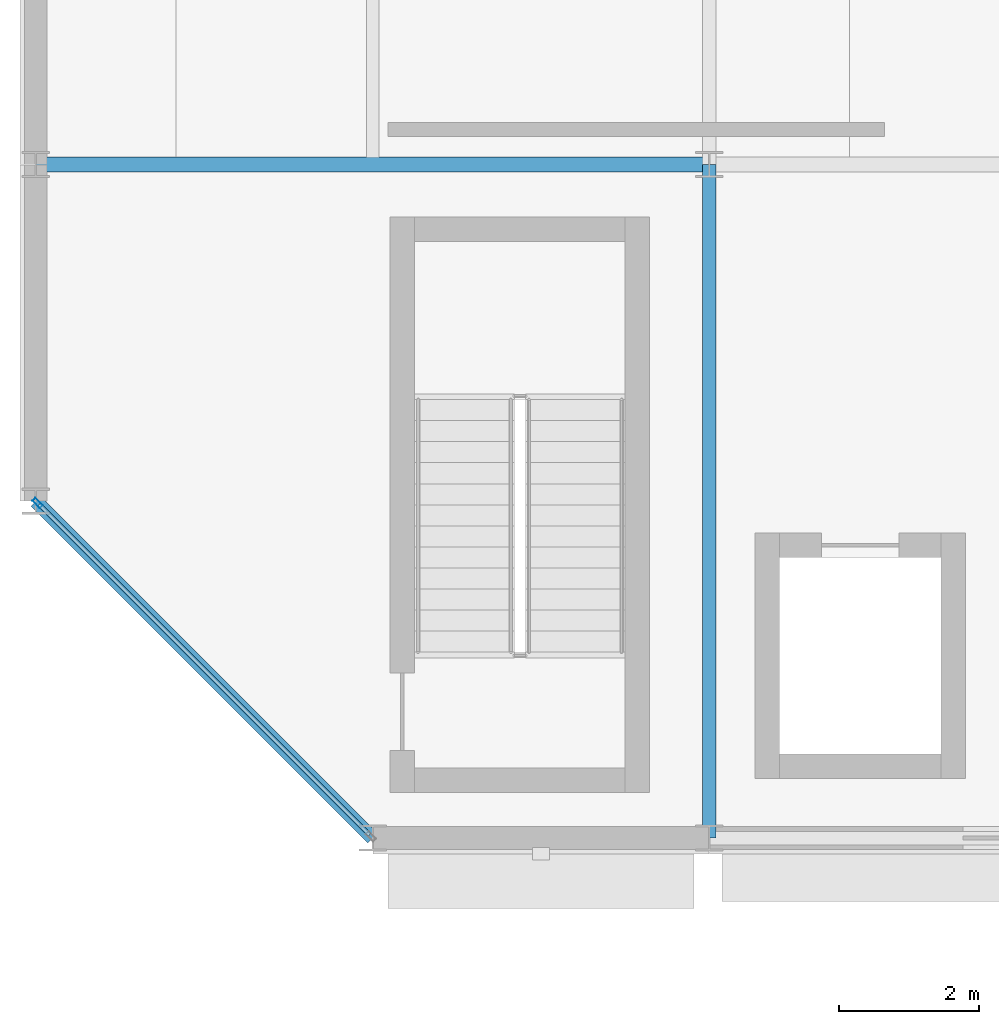
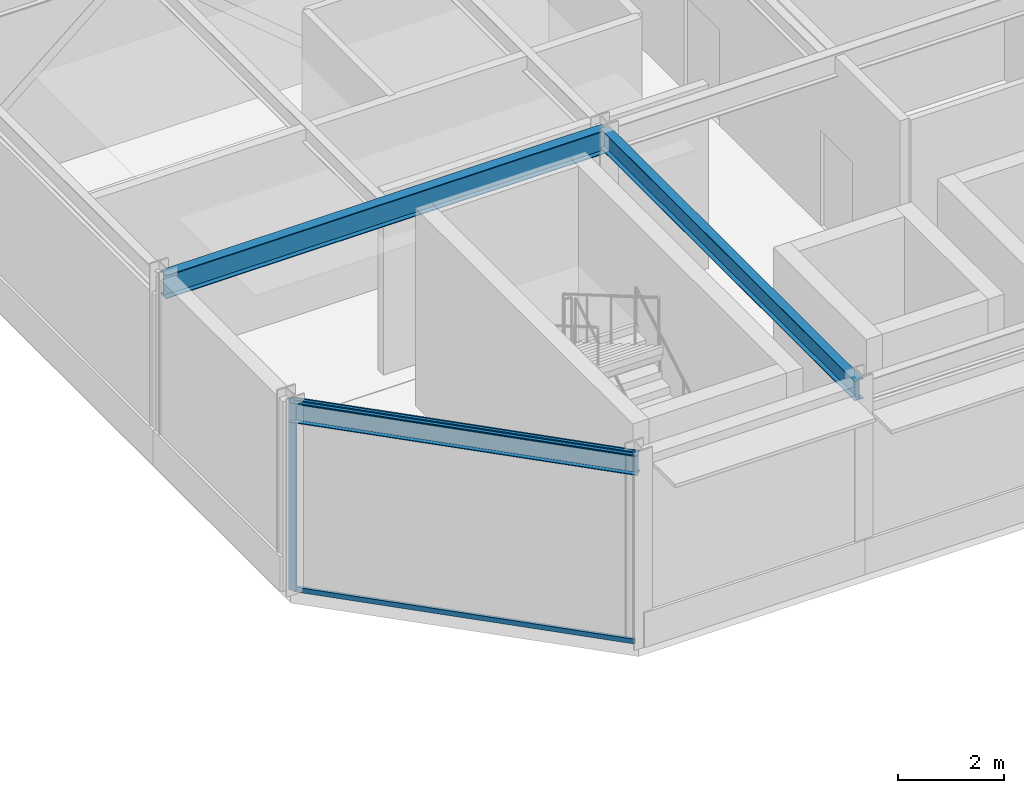
# One storey, part 54 of 157: 3 beams, 3 members, 1 element without a shape of its own.
"""IFC4 building model written with IfcOpenShell, lengths in metres."""

from ifc_helpers import new_model, si_unit, direction, frame, origin, origin_2d, place, context, subcontext, project, spatial, hollow_rectangle, i_section, extrude, material, material_profile, profile_set, type_object, element, aggregate, save


model = new_model("IFC4")

# Units and contexts
model_context = context("Model", 3, precision=1e-05, world=origin(), true_north=direction((0.0, 1.0)))
body_context = subcontext(model_context, "Body", "Model", "MODEL_VIEW")
ifc_project = project(units=[si_unit("LENGTHUNIT", "METRE"), si_unit("AREAUNIT", "SQUARE_METRE"), si_unit("VOLUMEUNIT", "CUBIC_METRE"), si_unit("PLANEANGLEUNIT", "RADIAN"), si_unit("MASSUNIT", "GRAM", prefix="KILO")], contexts=[model_context])

# Site, building, storey
site_placement = place(None, origin())
site = spatial("IfcSite", under=ifc_project, at=site_placement, CompositionType="ELEMENT")
building_placement = place(site_placement, origin())
building = spatial("IfcBuilding", under=site, at=building_placement, Name="Almandine Court Research Institute", CompositionType="ELEMENT")
storey_placement = place(building_placement, frame((0.0, 0.0, 5.25)))
storey = spatial("IfcBuildingStorey", under=building, at=storey_placement, Name="L01", CompositionType="ELEMENT", Elevation=5.25)

# Beams
ifc_material_1 = material(Name="Steel ASTM A992 Grade 50", Category="steel")
ifc_material_profile_1 = material_profile(ifc_material_1, i_section(OverallWidth=0.18994140625, OverallDepth=0.45703125, WebThickness=0.009033203125, FlangeThickness=0.014892578125, at=origin_2d()), Name="W460x74")
ifc_profile_set_1 = profile_set([ifc_material_profile_1], Name="Steel ASTM A992 Grade 50")
beam_type_1 = type_object("IfcBeamType", Name="Beam-B-01", PredefinedType="BEAM", material=ifc_profile_set_1)
beam_1_placement = place(storey_placement, frame((15.60009765625, 84.0, 4.14111328125), z_axis=(0.0, 1.0, 0.0), x_axis=(-1.0, 0.0, 0.0)))
element("IfcBeam", 1, at=beam_1_placement, inside=storey, type_object=beam_type_1, Name="L01 V3 Primary Y Girder", PredefinedType="BEAM", context=body_context, shape_type="SweptSolid", body=[
    extrude(i_section(OverallWidth=0.18994140625, OverallDepth=0.45703125, WebThickness=0.009033203125, FlangeThickness=0.014892578125, at=origin_2d()), origin(), (0.0, 0.0, 1.0), 9.60009765625),
])
ifc_material_profile_2 = material_profile(ifc_material_1, i_section(OverallWidth=0.2109375, OverallDepth=0.5390625, WebThickness=0.011962890625, FlangeThickness=0.01904296875, at=origin_2d()), Name="W530x109")
ifc_profile_set_2 = profile_set([ifc_material_profile_2], Name="Steel ASTM A992 Grade 50")
beam_type_2 = type_object("IfcBeamType", Name="Beam-G-04", PredefinedType="BEAM", material=ifc_profile_set_2)
beam_2_placement = place(storey_placement, frame((6.0, 93.60009765625, 4.10009765625), z_axis=(1.0, 0.0, 0.0), x_axis=(0.0, 1.0, 0.0)))
element("IfcBeam", 2, at=beam_2_placement, inside=storey, type_object=beam_type_2, Name="L01 V3 Primary X Girder", PredefinedType="BEAM", context=body_context, shape_type="SweptSolid", body=[
    extrude(i_section(OverallWidth=0.2109375, OverallDepth=0.5390625, WebThickness=0.011962890625, FlangeThickness=0.01904296875, at=origin_2d()), origin(), (0.0, 0.0, 1.0), 9.60009765625),
])
ifc_material_profile_3 = material_profile(ifc_material_1, i_section(OverallWidth=0.193115234375, OverallDepth=0.466064453125, WebThickness=0.010986328125, FlangeThickness=0.01904296875, at=origin_2d()), Name="W460x97")
ifc_profile_set_3 = profile_set([ifc_material_profile_3], Name="Steel ASTM A992 Grade 50")
beam_type_3 = type_object("IfcBeamType", Name="Beam-G-06-E", PredefinedType="SPANDREL", material=ifc_profile_set_3)
beam_3_placement = place(storey_placement, frame((6.0, 88.800048828125, 4.136962890625), z_axis=(0.707106781187, -0.707106781187, 0.0), x_axis=(0.707106781187, 0.707106781187, 0.0)))
element("IfcBeam", 3, at=beam_3_placement, inside=storey, type_object=beam_type_3, Name="L01 V3 Octagonal Chamfer Spandrel", PredefinedType="SPANDREL", context=body_context, shape_type="SweptSolid", body=[
    extrude(i_section(OverallWidth=0.193115234375, OverallDepth=0.466064453125, WebThickness=0.010986328125, FlangeThickness=0.01904296875, at=origin_2d()), origin(), (0.0, 0.0, 1.0), 6.788330078125),
])

# Curtain wall, members
ifc_material_2 = material(Name="Unitised Curtain Wall Framing and Solar Glazing", Category="glass")
curtain_wall_type = type_object("IfcCurtainWallType", Name="CW-CWG-05", PredefinedType="USERDEFINED", material=ifc_material_2)
curtain_wall_placement = place(storey_placement, origin())
curtain_wall = element("IfcCurtainWall", 4, at=curtain_wall_placement, inside=storey, type_object=curtain_wall_type, Name="L01 Cleanroom SW Chamfer Glazing", ObjectType="UNITISED GLAZING", PredefinedType="USERDEFINED")
ifc_material_3 = material(Name="Anodised Aluminium AW-6063-T6", Category="aluminium")
ifc_material_profile_4 = material_profile(ifc_material_3, hollow_rectangle(XDim=0.06005859375, YDim=0.14990234375, WallThickness=0.00390625, at=origin_2d()), Name="ALU RHS 60x150x4")
ifc_profile_set_4 = profile_set([ifc_material_profile_4], Name="Anodised Aluminium AW-6063-T6")
member_type_1 = type_object("IfcMemberType", Name="CWMul-60x150", PredefinedType="MULLION", material=ifc_profile_set_4)
member_1_placement = place(storey_placement, frame((6.025146484375, 88.77490234375, 0.0), z_axis=(0.0, 0.0, 1.0), x_axis=(-0.707106781187, -0.707106781187, 0.0)))
member_1 = element("IfcMember", 5, at=member_1_placement, type_object=member_type_1, Name="CWG-05 mullion 2", PredefinedType="MULLION", context=body_context, shape_type="SweptSolid", body=[
    extrude(hollow_rectangle(XDim=0.06005859375, YDim=0.14990234375, WallThickness=0.00390625, at=origin_2d()), origin(), (0.0, 0.0, 1.0), 4.3701171875),
])
ifc_material_profile_5 = material_profile(ifc_material_3, hollow_rectangle(XDim=0.06005859375, YDim=0.110107421875, WallThickness=0.00390625, at=origin_2d()), Name="ALU RHS 60x110x4")
ifc_profile_set_5 = profile_set([ifc_material_profile_5], Name="Anodised Aluminium AW-6063-T6")
member_type_2 = type_object("IfcMemberType", Name="CWTrn-60x110", PredefinedType="NOTDEFINED", material=ifc_profile_set_5)
member_2_placement = place(storey_placement, frame((10.753662109375, 84.04638671875, 0.030029296875), z_axis=(-0.707106781187, 0.707106781187, 0.0), x_axis=(-0.707106781187, -0.707106781187, 0.0)))
member_2 = element("IfcMember", 6, at=member_2_placement, type_object=member_type_2, Name="CWG-05 transom 1.1", ObjectType="TRANSOM", PredefinedType="USERDEFINED", context=body_context, shape_type="SweptSolid", body=[
    extrude(hollow_rectangle(XDim=0.06005859375, YDim=0.110107421875, WallThickness=0.00390625, at=origin_2d()), origin(), (0.0, 0.0, 1.0), 6.656982421875),
])
member_3_placement = place(storey_placement, frame((10.753662109375, 84.04638671875, 4.340087890625), z_axis=(-0.707106781187, 0.707106781187, 0.0), x_axis=(-0.707106781187, -0.707106781187, 0.0)))
member_3 = element("IfcMember", 7, at=member_3_placement, type_object=member_type_2, Name="CWG-05 transom 1.2", ObjectType="TRANSOM", PredefinedType="USERDEFINED", context=body_context, shape_type="SweptSolid", body=[
    extrude(hollow_rectangle(XDim=0.06005859375, YDim=0.110107421875, WallThickness=0.00390625, at=origin_2d()), origin(), (0.0, 0.0, 1.0), 6.656982421875),
])
aggregate(curtain_wall, [member_1, member_2, member_3])

save(model, "model.ifc")
